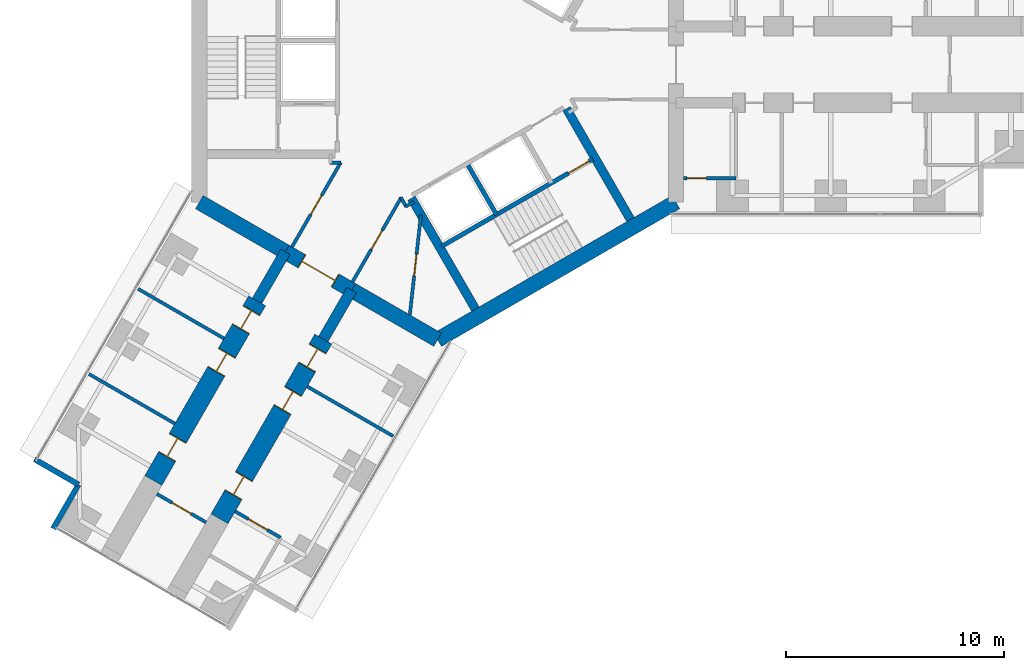
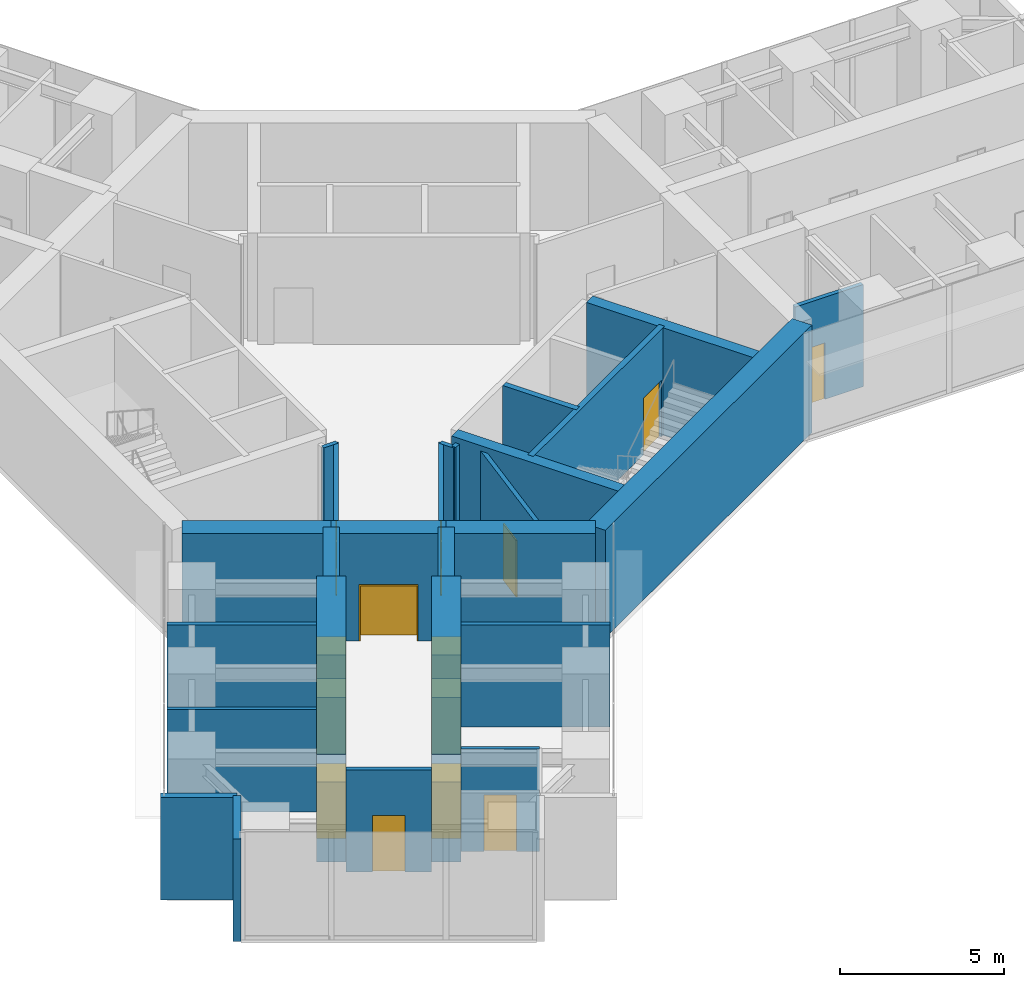
# One storey, part 16 of 24: 26 walls, 14 doors, 14 openings.
"""IFC4 building model written with IfcOpenShell, lengths in metres."""

from ifc_helpers import new_model, si_unit, direction, frame, frame_2d, origin, place, context, subcontext, project, spatial, rectangle, extrude, material, layer, layer_set, type_object, element, fill, save


model = new_model("IFC4")

# Units and contexts
model_context = context("Model", 3, precision=1e-05, world=origin(), true_north=direction((0.0, 1.0)))
body_context = subcontext(model_context, "Body", "Model", "MODEL_VIEW")
ifc_project = project(units=[si_unit("LENGTHUNIT", "METRE"), si_unit("AREAUNIT", "SQUARE_METRE"), si_unit("VOLUMEUNIT", "CUBIC_METRE"), si_unit("PLANEANGLEUNIT", "RADIAN"), si_unit("MASSUNIT", "GRAM", prefix="KILO")], contexts=[model_context])

# Site, building, storey
site_placement = place(None, origin())
site = spatial("IfcSite", under=ifc_project, at=site_placement, CompositionType="ELEMENT")
building_placement = place(site_placement, origin())
building = spatial("IfcBuilding", under=site, at=building_placement, Name="Upepo Twin Towers", CompositionType="ELEMENT")
storey_placement = place(building_placement, frame((0.0, 0.0, 52.5)))
storey = spatial("IfcBuildingStorey", under=building, at=storey_placement, Name="L12", CompositionType="ELEMENT", Elevation=52.5)

# Walls
ifc_material_1 = material(Name="Concrete C60/75", Category="concrete")
ifc_layer_1 = layer(ifc_material_1, 0.5)
ifc_layer_set_1 = layer_set([ifc_layer_1], Name="Concrete C60/75")
wall_type_1 = type_object("IfcWallType", Name="Buttress wall 500 RC", PredefinedType="SHEAR", material=ifc_layer_set_1)
for number, where, z_axis, x_axis, name in (
    (1, (-3.938720703125, -10.32177734375, 0.0), (0.0, 0.0, 1.0), (-0.499918158782, -0.866072649678, 0.0), "T1 wing C buttress wall L"),
    (2, (-6.9697265625, -8.57177734375, 0.0), (0.0, 0.0, 1.0), (-0.499988811324, -0.866031863473, 0.0), "T1 wing C buttress wall R"),
):
    element("IfcWall", number, at=place(storey_placement, frame(where, z_axis=z_axis, x_axis=x_axis)), inside=storey, type_object=wall_type_1, Name=name, PredefinedType="SHEAR", context=body_context, shape_type="SweptSolid", body=[
        extrude(rectangle(XDim=2.591796875, YDim=0.5, at=frame_2d((1.2958984375, 0.0))), origin(), (0.0, 0.0, 1.0), 4.0),
    ])

# Wall, openings, doors
ifc_material_2 = material(Name="Concrete C60/75", Category="concrete")
ifc_layer_2 = layer(ifc_material_2, 0.89990234375)
ifc_layer_set_2 = layer_set([ifc_layer_2], Name="Concrete C60/75")
wall_type_2 = type_object("IfcWallType", Name="Buttress wall 900 RC", PredefinedType="SHEAR", material=ifc_layer_set_2)
wall_1_placement = place(storey_placement, frame((-5.234375, -12.56640625, 0.0), z_axis=(0.0, 0.0, 1.0), x_axis=(-0.499997557548, -0.86602681393, 0.0)))
wall_1 = element("IfcWall", 3, at=wall_1_placement, inside=storey, type_object=wall_type_2, Name="T1 wing C buttress wall L part 2", PredefinedType="SHEAR", context=body_context, shape_type="SweptSolid", body=[
    extrude(rectangle(XDim=9.5, YDim=0.89990234375, at=frame_2d((4.75, 0.0))), origin(), (0.0, 0.0, 1.0), 4.0),
])
opening_1_placement = place(wall_1_placement, frame((0.5, 0.0, 0.0)))
opening_1 = element("IfcOpeningElement", 4, at=opening_1_placement, cuts=wall_1, Name="Opening D1", PredefinedType="OPENING", context=body_context, shape_type="SweptSolid", body=[
    extrude(rectangle(XDim=1.0, YDim=2.10009765625, at=frame_2d((0.5, 1.050048828125))), frame((0.0, 0.4599609375, 0.0), z_axis=(0.0, -1.0, 0.0), x_axis=(1.0, 0.0, 0.0)), (0.0, 0.0, 1.0), 0.919921875),
])
opening_2_placement = place(wall_1_placement, frame((2.75, 0.0, 0.0)))
opening_2 = element("IfcOpeningElement", 5, at=opening_2_placement, cuts=wall_1, Name="Opening D1", PredefinedType="OPENING", context=body_context, shape_type="SweptSolid", body=[
    extrude(rectangle(XDim=1.0, YDim=2.10009765625, at=frame_2d((0.5, 1.050048828125))), frame((0.0, 0.4599609375, 0.0), z_axis=(0.0, -1.0, 0.0), x_axis=(1.0, 0.0, 0.0)), (0.0, 0.0, 1.0), 0.919921875),
])
opening_3_placement = place(wall_1_placement, frame((7.25, 0.0, 0.0)))
opening_3 = element("IfcOpeningElement", 6, at=opening_3_placement, cuts=wall_1, Name="Opening D1", PredefinedType="OPENING", context=body_context, shape_type="SweptSolid", body=[
    extrude(rectangle(XDim=1.0, YDim=2.10009765625, at=frame_2d((0.5, 1.050048828125))), frame((0.0, 0.4599609375, 0.0), z_axis=(0.0, -1.0, 0.0), x_axis=(1.0, 0.0, 0.0)), (0.0, 0.0, 1.0), 0.919921875),
])
ifc_material_3 = material(Name="Timber doorset", Category="wood")
door_type_1 = type_object("IfcDoorType", Name="Room door 1000 FD30", OperationType="SINGLE_SWING_LEFT", PredefinedType="DOOR", material=ifc_material_3)
door_1_placement = place(opening_1_placement, origin())
door_1 = element("IfcDoor", 7, at=door_1_placement, inside=storey, type_object=door_type_1, Name="T1 L12 tutorial room door", OperationType="SINGLE_SWING_LEFT", OverallHeight=2.10009765625, OverallWidth=1.0, PredefinedType="DOOR", context=body_context, shape_type="SweptSolid", body=[
    extrude(rectangle(XDim=0.92, YDim=2.06009765625, at=frame_2d((0.5, 1.030029296875))), frame((0.0, 0.02490234375, 0.0), z_axis=(0.0, -1.0, 0.0), x_axis=(1.0, 0.0, 0.0)), (0.0, 0.0, 1.0), 0.050048828125),
    extrude(rectangle(XDim=0.04, YDim=2.10009765625, at=frame_2d((0.02001953125, 1.050048828125))), frame((0.0, 0.44970703125, 0.0), z_axis=(0.0, -1.0, 0.0), x_axis=(1.0, 0.0, 0.0)), (0.0, 0.0, 1.0), 0.8994140625),
    extrude(rectangle(XDim=0.04, YDim=2.10009765625, at=frame_2d((0.97998046875, 1.050048828125))), frame((0.0, 0.44970703125, 0.0), z_axis=(0.0, -1.0, 0.0), x_axis=(1.0, 0.0, 0.0)), (0.0, 0.0, 1.0), 0.8994140625),
    extrude(rectangle(XDim=0.92, YDim=0.04, at=frame_2d((0.5, 2.080078125))), frame((0.0, 0.44970703125, 0.0), z_axis=(0.0, -1.0, 0.0), x_axis=(1.0, 0.0, 0.0)), (0.0, 0.0, 1.0), 0.8994140625),
])
fill(opening_1, door_1)
door_2_placement = place(opening_2_placement, origin())
door_2 = element("IfcDoor", 8, at=door_2_placement, inside=storey, type_object=door_type_1, Name="T1 L12 teaching laboratory door", OperationType="SINGLE_SWING_LEFT", OverallHeight=2.10009765625, OverallWidth=1.0, PredefinedType="DOOR", context=body_context, shape_type="SweptSolid", body=[
    extrude(rectangle(XDim=0.92, YDim=2.06009765625, at=frame_2d((0.5, 1.030029296875))), frame((0.0, 0.02490234375, 0.0), z_axis=(0.0, -1.0, 0.0), x_axis=(1.0, 0.0, 0.0)), (0.0, 0.0, 1.0), 0.050048828125),
    extrude(rectangle(XDim=0.04, YDim=2.10009765625, at=frame_2d((0.02001953125, 1.050048828125))), frame((0.0, 0.44970703125, 0.0), z_axis=(0.0, -1.0, 0.0), x_axis=(1.0, 0.0, 0.0)), (0.0, 0.0, 1.0), 0.8994140625),
    extrude(rectangle(XDim=0.04, YDim=2.10009765625, at=frame_2d((0.97998046875, 1.050048828125))), frame((0.0, 0.44970703125, 0.0), z_axis=(0.0, -1.0, 0.0), x_axis=(1.0, 0.0, 0.0)), (0.0, 0.0, 1.0), 0.8994140625),
    extrude(rectangle(XDim=0.92, YDim=0.04, at=frame_2d((0.5, 2.080078125))), frame((0.0, 0.44970703125, 0.0), z_axis=(0.0, -1.0, 0.0), x_axis=(1.0, 0.0, 0.0)), (0.0, 0.0, 1.0), 0.8994140625),
])
fill(opening_2, door_2)
door_3_placement = place(opening_3_placement, origin())
door_3 = element("IfcDoor", 9, at=door_3_placement, inside=storey, type_object=door_type_1, Name="T1 L12 teaching laboratory door", OperationType="SINGLE_SWING_RIGHT", OverallHeight=2.10009765625, OverallWidth=1.0, PredefinedType="DOOR", context=body_context, shape_type="SweptSolid", body=[
    extrude(rectangle(XDim=0.92, YDim=2.06009765625, at=frame_2d((0.5, 1.030029296875))), frame((0.0, 0.02490234375, 0.0), z_axis=(0.0, -1.0, 0.0), x_axis=(1.0, 0.0, 0.0)), (0.0, 0.0, 1.0), 0.050048828125),
    extrude(rectangle(XDim=0.04, YDim=2.10009765625, at=frame_2d((0.02001953125, 1.050048828125))), frame((0.0, 0.44970703125, 0.0), z_axis=(0.0, -1.0, 0.0), x_axis=(1.0, 0.0, 0.0)), (0.0, 0.0, 1.0), 0.8994140625),
    extrude(rectangle(XDim=0.04, YDim=2.10009765625, at=frame_2d((0.97998046875, 1.050048828125))), frame((0.0, 0.44970703125, 0.0), z_axis=(0.0, -1.0, 0.0), x_axis=(1.0, 0.0, 0.0)), (0.0, 0.0, 1.0), 0.8994140625),
    extrude(rectangle(XDim=0.92, YDim=0.04, at=frame_2d((0.5, 2.080078125))), frame((0.0, 0.44970703125, 0.0), z_axis=(0.0, -1.0, 0.0), x_axis=(1.0, 0.0, 0.0)), (0.0, 0.0, 1.0), 0.8994140625),
])
fill(opening_3, door_3)

wall_2_placement = place(storey_placement, frame((-8.265625, -10.81640625, 0.0), z_axis=(0.0, 0.0, 1.0), x_axis=(-0.499997557548, -0.86602681393, 0.0)))
wall_2 = element("IfcWall", 10, at=wall_2_placement, inside=storey, type_object=wall_type_2, Name="T1 wing C buttress wall R part 2", PredefinedType="SHEAR", context=body_context, shape_type="SweptSolid", body=[
    extrude(rectangle(XDim=9.5, YDim=0.89990234375, at=frame_2d((4.75, 0.0))), origin(), (0.0, 0.0, 1.0), 4.0),
])
opening_4_placement = place(wall_2_placement, frame((0.5, 0.0, 0.0)))
opening_4 = element("IfcOpeningElement", 11, at=opening_4_placement, cuts=wall_2, Name="Opening D1", PredefinedType="OPENING", context=body_context, shape_type="SweptSolid", body=[
    extrude(rectangle(XDim=1.0, YDim=2.10009765625, at=frame_2d((0.5, 1.050048828125))), frame((0.0, 0.4599609375, 0.0), z_axis=(0.0, -1.0, 0.0), x_axis=(1.0, 0.0, 0.0)), (0.0, 0.0, 1.0), 0.919921875),
])
opening_5_placement = place(wall_2_placement, frame((2.75, 0.0, 0.0)))
opening_5 = element("IfcOpeningElement", 12, at=opening_5_placement, cuts=wall_2, Name="Opening D1", PredefinedType="OPENING", context=body_context, shape_type="SweptSolid", body=[
    extrude(rectangle(XDim=1.0, YDim=2.10009765625, at=frame_2d((0.5, 1.050048828125))), frame((0.0, 0.4599609375, 0.0), z_axis=(0.0, -1.0, 0.0), x_axis=(1.0, 0.0, 0.0)), (0.0, 0.0, 1.0), 0.919921875),
])
opening_6_placement = place(wall_2_placement, frame((7.25, 0.0, 0.0)))
opening_6 = element("IfcOpeningElement", 13, at=opening_6_placement, cuts=wall_2, Name="Opening D1", PredefinedType="OPENING", context=body_context, shape_type="SweptSolid", body=[
    extrude(rectangle(XDim=1.0, YDim=2.10009765625, at=frame_2d((0.5, 1.050048828125))), frame((0.0, 0.4599609375, 0.0), z_axis=(0.0, -1.0, 0.0), x_axis=(1.0, 0.0, 0.0)), (0.0, 0.0, 1.0), 0.919921875),
])
door_4_placement = place(opening_4_placement, origin())
door_4 = element("IfcDoor", 14, at=door_4_placement, inside=storey, type_object=door_type_1, Name="T1 L12 computing laboratory door", OperationType="SINGLE_SWING_LEFT", OverallHeight=2.10009765625, OverallWidth=1.0, PredefinedType="DOOR", context=body_context, shape_type="SweptSolid", body=[
    extrude(rectangle(XDim=0.92, YDim=2.06009765625, at=frame_2d((0.5, 1.030029296875))), frame((0.0, 0.02490234375, 0.0), z_axis=(0.0, -1.0, 0.0), x_axis=(1.0, 0.0, 0.0)), (0.0, 0.0, 1.0), 0.050048828125),
    extrude(rectangle(XDim=0.04, YDim=2.10009765625, at=frame_2d((0.02001953125, 1.050048828125))), frame((0.0, 0.44970703125, 0.0), z_axis=(0.0, -1.0, 0.0), x_axis=(1.0, 0.0, 0.0)), (0.0, 0.0, 1.0), 0.8994140625),
    extrude(rectangle(XDim=0.04, YDim=2.10009765625, at=frame_2d((0.97998046875, 1.050048828125))), frame((0.0, 0.44970703125, 0.0), z_axis=(0.0, -1.0, 0.0), x_axis=(1.0, 0.0, 0.0)), (0.0, 0.0, 1.0), 0.8994140625),
    extrude(rectangle(XDim=0.92, YDim=0.04, at=frame_2d((0.5, 2.080078125))), frame((0.0, 0.44970703125, 0.0), z_axis=(0.0, -1.0, 0.0), x_axis=(1.0, 0.0, 0.0)), (0.0, 0.0, 1.0), 0.8994140625),
])
fill(opening_4, door_4)
door_5_placement = place(opening_5_placement, origin())
door_5 = element("IfcDoor", 15, at=door_5_placement, inside=storey, type_object=door_type_1, Name="T1 L12 seminar room door", OperationType="SINGLE_SWING_LEFT", OverallHeight=2.10009765625, OverallWidth=1.0, PredefinedType="DOOR", context=body_context, shape_type="SweptSolid", body=[
    extrude(rectangle(XDim=0.92, YDim=2.06009765625, at=frame_2d((0.5, 1.030029296875))), frame((0.0, 0.02490234375, 0.0), z_axis=(0.0, -1.0, 0.0), x_axis=(1.0, 0.0, 0.0)), (0.0, 0.0, 1.0), 0.050048828125),
    extrude(rectangle(XDim=0.04, YDim=2.10009765625, at=frame_2d((0.02001953125, 1.050048828125))), frame((0.0, 0.44970703125, 0.0), z_axis=(0.0, -1.0, 0.0), x_axis=(1.0, 0.0, 0.0)), (0.0, 0.0, 1.0), 0.8994140625),
    extrude(rectangle(XDim=0.04, YDim=2.10009765625, at=frame_2d((0.97998046875, 1.050048828125))), frame((0.0, 0.44970703125, 0.0), z_axis=(0.0, -1.0, 0.0), x_axis=(1.0, 0.0, 0.0)), (0.0, 0.0, 1.0), 0.8994140625),
    extrude(rectangle(XDim=0.92, YDim=0.04, at=frame_2d((0.5, 2.080078125))), frame((0.0, 0.44970703125, 0.0), z_axis=(0.0, -1.0, 0.0), x_axis=(1.0, 0.0, 0.0)), (0.0, 0.0, 1.0), 0.8994140625),
])
fill(opening_5, door_5)
door_6_placement = place(opening_6_placement, origin())
door_6 = element("IfcDoor", 16, at=door_6_placement, inside=storey, type_object=door_type_1, Name="T1 L12 staff office door", OperationType="SINGLE_SWING_RIGHT", OverallHeight=2.10009765625, OverallWidth=1.0, PredefinedType="DOOR", context=body_context, shape_type="SweptSolid", body=[
    extrude(rectangle(XDim=0.92, YDim=2.06009765625, at=frame_2d((0.5, 1.030029296875))), frame((0.0, 0.02490234375, 0.0), z_axis=(0.0, -1.0, 0.0), x_axis=(1.0, 0.0, 0.0)), (0.0, 0.0, 1.0), 0.050048828125),
    extrude(rectangle(XDim=0.04, YDim=2.10009765625, at=frame_2d((0.02001953125, 1.050048828125))), frame((0.0, 0.44970703125, 0.0), z_axis=(0.0, -1.0, 0.0), x_axis=(1.0, 0.0, 0.0)), (0.0, 0.0, 1.0), 0.8994140625),
    extrude(rectangle(XDim=0.04, YDim=2.10009765625, at=frame_2d((0.97998046875, 1.050048828125))), frame((0.0, 0.44970703125, 0.0), z_axis=(0.0, -1.0, 0.0), x_axis=(1.0, 0.0, 0.0)), (0.0, 0.0, 1.0), 0.8994140625),
    extrude(rectangle(XDim=0.92, YDim=0.04, at=frame_2d((0.5, 2.080078125))), frame((0.0, 0.44970703125, 0.0), z_axis=(0.0, -1.0, 0.0), x_axis=(1.0, 0.0, 0.0)), (0.0, 0.0, 1.0), 0.8994140625),
])
fill(opening_6, door_6)

# Wall
ifc_material_4 = material(Name="Concrete C60/75", Category="concrete")
ifc_layer_3 = layer(ifc_material_4, 0.699951171875)
ifc_layer_set_3 = layer_set([ifc_layer_3], Name="Concrete C60/75")
wall_type_3 = type_object("IfcWallType", Name="Core wall 700 RC", PredefinedType="SHEAR", material=ifc_layer_set_3)
wall_3_placement = place(storey_placement, frame((-10.908447265625, -6.2978515625, 0.0), z_axis=(0.0, 0.0, 1.0), x_axis=(0.866034513004, -0.499984222037, 0.0)))
element("IfcWall", 17, at=wall_3_placement, inside=storey, type_object=wall_type_3, Name="T1 core wall 240 R", PredefinedType="SHEAR", context=body_context, shape_type="SweptSolid", body=[
    extrude(rectangle(XDim=4.548095703125, YDim=0.699951171875, at=frame_2d((2.27392578125, 0.0))), origin(), (0.0, 0.0, 1.0), 4.0),
])

# Wall, opening, door
wall_4_placement = place(storey_placement, frame((-6.9697265625, -8.57177734375, 0.0), z_axis=(0.0, 0.0, 1.0), x_axis=(0.866019471182, -0.500010275428, 0.0)))
wall_4 = element("IfcWall", 18, at=wall_4_placement, inside=storey, type_object=wall_type_3, Name="T1 core wall 240", PredefinedType="SHEAR", context=body_context, shape_type="SweptSolid", body=[
    extrude(rectangle(XDim=3.5, YDim=0.699951171875, at=frame_2d((1.75, 0.0))), origin(), (0.0, 0.0, 1.0), 4.0),
])
opening_7_placement = place(wall_4_placement, frame((0.85009765625, 0.0, 0.0)))
opening_7 = element("IfcOpeningElement", 19, at=opening_7_placement, cuts=wall_4, Name="Opening D2", PredefinedType="OPENING", context=body_context, shape_type="SweptSolid", body=[
    extrude(rectangle(XDim=1.800048828125, YDim=2.10009765625, at=frame_2d((0.89990234375, 1.050048828125))), frame((0.0, 0.35986328125, 0.0), z_axis=(0.0, -1.0, 0.0), x_axis=(1.0, 0.0, 0.0)), (0.0, 0.0, 1.0), 0.719970703125),
])
ifc_material_5 = material(Name="Timber doorset", Category="wood")
door_type_2 = type_object("IfcDoorType", Name="Corridor double door 1800 FD60", OperationType="DOUBLE_DOOR_DOUBLE_SWING", PredefinedType="DOOR", material=ifc_material_5)
door_7_placement = place(opening_7_placement, origin())
door_7 = element("IfcDoor", 20, at=door_7_placement, inside=storey, type_object=door_type_2, Name="T1 L12 wing C corridor door", OperationType="DOUBLE_DOOR_DOUBLE_SWING", OverallHeight=2.10009765625, OverallWidth=1.800048828125, PredefinedType="DOOR", context=body_context, shape_type="SweptSolid", body=[
    extrude(rectangle(XDim=1.720048828125, YDim=2.06009765625, at=frame_2d((0.89990234375, 1.030029296875))), frame((0.0, 0.02490234375, 0.0), z_axis=(0.0, -1.0, 0.0), x_axis=(1.0, 0.0, 0.0)), (0.0, 0.0, 1.0), 0.050048828125),
    extrude(rectangle(XDim=0.04, YDim=2.10009765625, at=frame_2d((0.02001953125, 1.050048828125))), frame((0.0, 0.349609375, 0.0), z_axis=(0.0, -1.0, 0.0), x_axis=(1.0, 0.0, 0.0)), (0.0, 0.0, 1.0), 0.699462890625),
    extrude(rectangle(XDim=0.04, YDim=2.10009765625, at=frame_2d((1.780029296875, 1.050048828125))), frame((0.0, 0.349609375, 0.0), z_axis=(0.0, -1.0, 0.0), x_axis=(1.0, 0.0, 0.0)), (0.0, 0.0, 1.0), 0.699462890625),
    extrude(rectangle(XDim=1.720048828125, YDim=0.04, at=frame_2d((0.89990234375, 2.080078125))), frame((0.0, 0.349609375, 0.0), z_axis=(0.0, -1.0, 0.0), x_axis=(1.0, 0.0, 0.0)), (0.0, 0.0, 1.0), 0.699462890625),
])
fill(opening_7, door_7)

# Walls
wall_5_placement = place(storey_placement, frame((-3.938720703125, -10.32177734375, 0.0), z_axis=(0.0, 0.0, 1.0), x_axis=(0.866011268655, -0.500024481964, 0.0)))
element("IfcWall", 21, at=wall_5_placement, inside=storey, type_object=wall_type_3, Name="T1 core wall 240 L", PredefinedType="SHEAR", context=body_context, shape_type="SweptSolid", body=[
    extrude(rectangle(XDim=4.548095703125, YDim=0.699951171875, at=frame_2d((2.27392578125, 0.0))), origin(), (0.0, 0.0, 1.0), 4.0),
])
wall_6_placement = place(storey_placement, frame((0.0, -12.595947265625, 0.0), z_axis=(0.0, 0.0, 1.0), x_axis=(0.866021940709, 0.500005998175, 0.0)))
element("IfcWall", 22, at=wall_6_placement, inside=storey, type_object=wall_type_3, Name="T1 core wall 300", PredefinedType="SHEAR", context=body_context, shape_type="SweptSolid", body=[
    extrude(rectangle(XDim=12.595947265625, YDim=0.699951171875, at=frame_2d((6.2978515625, 0.0))), origin(), (0.0, 0.0, 1.0), 4.0),
])
ifc_material_6 = material(Name="Blockwork with anodised aluminium cladding", Category="masonry")
ifc_layer_4 = layer(ifc_material_6, 0.25)
ifc_layer_set_4 = layer_set([ifc_layer_4], Name="Notch cladding wall 250, pale metal")
wall_type_4 = type_object("IfcWallType", Name="Notch cladding wall 250, pale metal", PredefinedType="STANDARD", material=ifc_layer_set_4)
for number, where, z_axis, x_axis, name in (
    (23, (-18.456298828125, -18.0673828125, 0.0), (0.0, 0.0, 1.0), (0.865998469481, -0.500046648681, 0.0), "T1 L12 wing C notch wall R1"),
    (24, (-16.44287109375, -19.22998046875, 0.0), (0.0, 0.0, 1.0), (-0.500046648681, -0.865998469481, 0.0), "T1 L12 wing C notch wall R2"),
):
    element("IfcWall", number, at=place(storey_placement, frame(where, z_axis=z_axis, x_axis=x_axis)), inside=storey, type_object=wall_type_4, Name=name, PredefinedType="STANDARD", context=body_context, shape_type="SweptSolid", body=[
        extrude(rectangle(XDim=2.324951171875, YDim=0.25, at=frame_2d((1.16259765625, 0.0))), origin(), (0.0, 0.0, 1.0), 3.800048828125),
    ])
ifc_material_7 = material(Name="Concrete C40/50", Category="concrete")
ifc_layer_5 = layer(ifc_material_7, 0.199951171875)
ifc_layer_set_5 = layer_set([ifc_layer_5], Name="Concrete C40/50")
wall_type_5 = type_object("IfcWallType", Name="Shaft wall 200 RC", PredefinedType="SHEAR", material=ifc_layer_set_5)
wall_7_placement = place(storey_placement, frame((1.3974609375, -4.620361328125, 0.0), z_axis=(0.0, 0.0, 1.0), x_axis=(0.499936506574, -0.866062058628, 0.0)))
element("IfcWall", 25, at=wall_7_placement, inside=storey, type_object=wall_type_5, Name="T1 core W300 shaft divider", PredefinedType="SHEAR", context=body_context, shape_type="SweptSolid", body=[
    extrude(rectangle(XDim=2.599853515625, YDim=0.199951171875, at=frame_2d((1.2998046875, 0.0))), origin(), (0.0, 0.0, 1.0), 4.0),
])

# Wall, opening, door
wall_8_placement = place(storey_placement, frame((0.185791015625, -8.322021484375, 0.0), z_axis=(0.0, 0.0, 1.0), x_axis=(0.866026010844, 0.49999894854, 0.0)))
wall_8 = element("IfcWall", 26, at=wall_8_placement, inside=storey, type_object=wall_type_5, Name="T1 core W300 stair wall", PredefinedType="SHEAR", context=body_context, shape_type="SweptSolid", body=[
    extrude(rectangle(XDim=8.0, YDim=0.199951171875, at=frame_2d((4.0, 0.0))), origin(), (0.0, 0.0, 1.0), 4.0),
])
opening_8_placement = place(wall_8_placement, frame((6.699951171875, 0.0, 0.0)))
opening_8 = element("IfcOpeningElement", 27, at=opening_8_placement, cuts=wall_8, Name="Opening D3", PredefinedType="OPENING", context=body_context, shape_type="SweptSolid", body=[
    extrude(rectangle(XDim=1.10009765625, YDim=2.10009765625, at=frame_2d((0.550048828125, 1.050048828125))), frame((0.0, 0.10986328125, 0.0), z_axis=(0.0, -1.0, 0.0), x_axis=(1.0, 0.0, 0.0)), (0.0, 0.0, 1.0), 0.219970703125),
])
ifc_material_8 = material(Name="Timber doorset", Category="wood")
door_type_3 = type_object("IfcDoorType", Name="Stair door 1100 FD60", OperationType="SINGLE_SWING_LEFT", PredefinedType="DOOR", material=ifc_material_8)
door_8_placement = place(opening_8_placement, origin())
door_8 = element("IfcDoor", 28, at=door_8_placement, inside=storey, type_object=door_type_3, Name="T1 L12 stair door", OperationType="SINGLE_SWING_RIGHT", OverallHeight=2.10009765625, OverallWidth=1.10009765625, PredefinedType="DOOR", context=body_context, shape_type="SweptSolid", body=[
    extrude(rectangle(XDim=1.10009765625, YDim=2.10009765625, at=frame_2d((0.550048828125, 1.050048828125))), frame((0.0, 0.02490234375, 0.0), z_axis=(0.0, -1.0, 0.0), x_axis=(1.0, 0.0, 0.0)), (0.0, 0.0, 1.0), 0.050048828125),
])
fill(opening_8, door_8)

# Walls
ifc_material_9 = material(Name="Concrete C40/50", Category="concrete")
ifc_layer_6 = layer(ifc_material_9, 0.39990234375)
ifc_layer_set_6 = layer_set([ifc_layer_6], Name="Concrete C40/50")
wall_type_6 = type_object("IfcWallType", Name="Shaft wall 400 RC", PredefinedType="SHEAR", material=ifc_layer_set_6)
for number, where, z_axis, x_axis, name in (
    (29, (5.900634765625, -2.020263671875, 0.0), (0.0, 0.0, 1.0), (0.500002627198, -0.866023886965, 0.0), "T1 core W300 side wall N"),
    (30, (-1.20068359375, -6.120361328125, 0.0), (0.0, 0.0, 1.0), (0.500002627198, -0.866023886965, 0.0), "T1 core W300 side wall S"),
):
    element("IfcWall", number, at=place(storey_placement, frame(where, z_axis=z_axis, x_axis=x_axis)), inside=storey, type_object=wall_type_6, Name=name, PredefinedType="SHEAR", context=body_context, shape_type="SweptSolid", body=[
        extrude(rectangle(XDim=5.8583984375, YDim=0.39990234375, at=frame_2d((2.92919921875, 0.0))), origin(), (0.0, 0.0, 1.0), 4.0),
    ])

# Wall, opening, door
ifc_material_10 = material(Name="Gypsum board on steel studs", Category="steel")
ifc_layer_7 = layer(ifc_material_10, 0.14990234375)
ifc_layer_set_7 = layer_set([ifc_layer_7], Name="Teaching partition 150 acoustic")
wall_type_7 = type_object("IfcWallType", Name="Teaching partition 150 acoustic", PredefinedType="PARTITIONING", material=ifc_layer_set_7)
wall_9_placement = place(storey_placement, frame((11.258056640625, -5.199951171875, 0.0), z_axis=(0.0, 0.0, 1.0), x_axis=(1.0, 0.0, 0.0)))
wall_9 = element("IfcWall", 31, at=wall_9_placement, inside=storey, type_object=wall_type_7, Name="T1 WC bay partition AR at 11.26", PredefinedType="PARTITIONING", context=body_context, shape_type="SweptSolid", body=[
    extrude(rectangle(XDim=2.39990234375, YDim=0.14990234375, at=frame_2d((1.199951171875, 0.0))), origin(), (0.0, 0.0, 1.0), 3.800048828125),
])
opening_9_placement = place(wall_9_placement, frame((0.14990234375, 0.0, 0.0)))
opening_9 = element("IfcOpeningElement", 32, at=opening_9_placement, cuts=wall_9, Name="Opening D14", PredefinedType="OPENING", context=body_context, shape_type="SweptSolid", body=[
    extrude(rectangle(XDim=0.89990234375, YDim=2.10009765625, at=frame_2d((0.449951171875, 1.050048828125))), frame((0.0, 0.0849609375, 0.0), z_axis=(0.0, -1.0, 0.0), x_axis=(1.0, 0.0, 0.0)), (0.0, 0.0, 1.0), 0.169921875),
])
ifc_material_11 = material(Name="Timber doorset", Category="wood")
door_type_4 = type_object("IfcDoorType", Name="Office door 900 FD30", OperationType="SINGLE_SWING_LEFT", PredefinedType="DOOR", material=ifc_material_11)
door_9_placement = place(opening_9_placement, origin())
door_9 = element("IfcDoor", 33, at=door_9_placement, inside=storey, type_object=door_type_4, Name="T1 L12 WC bay inner room door", OperationType="SINGLE_SWING_LEFT", OverallHeight=2.10009765625, OverallWidth=0.89990234375, PredefinedType="DOOR", context=body_context, shape_type="SweptSolid", body=[
    extrude(rectangle(XDim=0.89990234375, YDim=2.10009765625, at=frame_2d((0.449951171875, 1.050048828125))), frame((0.0, 0.02490234375, 0.0), z_axis=(0.0, -1.0, 0.0), x_axis=(1.0, 0.0, 0.0)), (0.0, 0.0, 1.0), 0.050048828125),
])
fill(opening_9, door_9)

# Wall
wall_10_placement = place(storey_placement, frame((-5.9697265625, -14.739990234375, 0.0), z_axis=(0.0, 0.0, 1.0), x_axis=(0.866035472144, -0.499982560684, 0.0)))
element("IfcWall", 34, at=wall_10_placement, inside=storey, type_object=wall_type_7, Name="T1 partition CL at 15.75", PredefinedType="PARTITIONING", context=body_context, shape_type="SweptSolid", body=[
    extrude(rectangle(XDim=4.550048828125, YDim=0.14990234375, at=frame_2d((2.27490234375, 0.0))), origin(), (0.0, 0.0, 1.0), 3.800048828125),
])

# Wall, opening, door
wall_11_placement = place(storey_placement, frame((-9.269775390625, -20.45556640625, 0.0), z_axis=(0.0, 0.0, 1.0), x_axis=(0.866006032174, -0.500033551112, 0.0)))
wall_11 = element("IfcWall", 35, at=wall_11_placement, inside=storey, type_object=wall_type_7, Name="T1 inner room partition CL end at 22.35", PredefinedType="PARTITIONING", context=body_context, shape_type="SweptSolid", body=[
    extrude(rectangle(XDim=2.400146484375, YDim=0.14990234375, at=frame_2d((1.2001953125, 0.0))), origin(), (0.0, 0.0, 1.0), 3.800048828125),
])
opening_10_placement = place(wall_11_placement, frame((0.699951171875, 0.0, 0.0)))
opening_10 = element("IfcOpeningElement", 36, at=opening_10_placement, cuts=wall_11, Name="Opening D1", PredefinedType="OPENING", context=body_context, shape_type="SweptSolid", body=[
    extrude(rectangle(XDim=1.0, YDim=2.10009765625, at=frame_2d((0.5, 1.050048828125))), frame((0.0, 0.0849609375, 0.0), z_axis=(0.0, -1.0, 0.0), x_axis=(1.0, 0.0, 0.0)), (0.0, 0.0, 1.0), 0.169921875),
])
door_10_placement = place(opening_10_placement, origin())
door_10 = element("IfcDoor", 37, at=door_10_placement, inside=storey, type_object=door_type_1, Name="T1 L12 inner room door", OperationType="SINGLE_SWING_LEFT", OverallHeight=2.10009765625, OverallWidth=1.0, PredefinedType="DOOR", context=body_context, shape_type="SweptSolid", body=[
    extrude(rectangle(XDim=1.0, YDim=2.10009765625, at=frame_2d((0.5, 1.050048828125))), frame((0.0, 0.02490234375, 0.0), z_axis=(0.0, -1.0, 0.0), x_axis=(1.0, 0.0, 0.0)), (0.0, 0.0, 1.0), 0.050048828125),
])
fill(opening_10, door_10)

# Walls
for number, where, z_axis, x_axis, name in (
    (38, (-9.7802734375, -12.539794921875, 0.0), (0.0, 0.0, 1.0), (-0.866035472144, 0.499982560684, 0.0), "T1 partition CR at 15.75"),
    (39, (-12.0302734375, -16.43701171875, 0.0), (0.0, 0.0, 1.0), (-0.866035472144, 0.499982560684, 0.0), "T1 partition CR at 20.25"),
):
    element("IfcWall", number, at=place(storey_placement, frame(where, z_axis=z_axis, x_axis=x_axis)), inside=storey, type_object=wall_type_7, Name=name, PredefinedType="PARTITIONING", context=body_context, shape_type="SweptSolid", body=[
        extrude(rectangle(XDim=4.550048828125, YDim=0.14990234375, at=frame_2d((2.27490234375, 0.0))), origin(), (0.0, 0.0, 1.0), 3.800048828125),
    ])
wall_12_placement = place(storey_placement, frame((-1.092041015625, -6.28857421875, 0.0), z_axis=(0.0, 0.0, 1.0), x_axis=(-0.866138304741, -0.499804398801, 0.0)))
element("IfcWall", 40, at=wall_12_placement, inside=storey, type_object=wall_type_7, Name="T1 core room partition 2", PredefinedType="PARTITIONING", context=body_context, shape_type="SweptSolid", body=[
    extrude(rectangle(XDim=0.429931640625, YDim=0.14990234375, at=frame_2d((0.21484375, 0.0))), origin(), (0.0, 0.0, 1.0), 3.800048828125),
])
wall_13_placement = place(storey_placement, frame((-1.43701171875, -6.5107421875, 0.0), z_axis=(0.0, 0.0, 1.0), x_axis=(-0.50033519877, 0.865831790172, 0.0)))
element("IfcWall", 41, at=wall_13_placement, inside=storey, type_object=wall_type_7, Name="T1 core room partition 3", PredefinedType="PARTITIONING", context=body_context, shape_type="SweptSolid", body=[
    extrude(rectangle(XDim=0.494384765625, YDim=0.14990234375, at=frame_2d((0.2470703125, 0.0))), origin(), (0.0, 0.0, 1.0), 3.800048828125),
])

# Wall, opening, door
wall_14_placement = place(storey_placement, frame((-1.664306640625, -6.082763671875, 0.0), z_axis=(0.0, 0.0, 1.0), x_axis=(-0.499999927604, -0.866025445582, 0.0)))
wall_14 = element("IfcWall", 42, at=wall_14_placement, inside=storey, type_object=wall_type_7, Name="T1 core room partition 4", PredefinedType="PARTITIONING", context=body_context, shape_type="SweptSolid", body=[
    extrude(rectangle(XDim=4.46826171875, YDim=0.14990234375, at=frame_2d((2.234130859375, 0.0))), origin(), (0.0, 0.0, 1.0), 3.800048828125),
])
opening_11_placement = place(wall_14_placement, frame((1.744384765625, 0.0, 0.0)))
opening_11 = element("IfcOpeningElement", 43, at=opening_11_placement, cuts=wall_14, Name="Opening D1", PredefinedType="OPENING", context=body_context, shape_type="SweptSolid", body=[
    extrude(rectangle(XDim=1.0, YDim=2.10009765625, at=frame_2d((0.5, 1.050048828125))), frame((0.0, 0.0849609375, 0.0), z_axis=(0.0, -1.0, 0.0), x_axis=(1.0, 0.0, 0.0)), (0.0, 0.0, 1.0), 0.169921875),
])
door_11_placement = place(opening_11_placement, origin())
door_11 = element("IfcDoor", 44, at=door_11_placement, inside=storey, type_object=door_type_1, Name="T1 L12 core room door K2", OperationType="SINGLE_SWING_RIGHT", OverallHeight=2.10009765625, OverallWidth=1.0, PredefinedType="DOOR", context=body_context, shape_type="SweptSolid", body=[
    extrude(rectangle(XDim=1.0, YDim=2.10009765625, at=frame_2d((0.5, 1.050048828125))), frame((0.0, 0.02490234375, 0.0), z_axis=(0.0, -1.0, 0.0), x_axis=(1.0, 0.0, 0.0)), (0.0, 0.0, 1.0), 0.050048828125),
])
fill(opening_11, door_11)

wall_15_placement = place(storey_placement, frame((-6.669921875, -8.3525390625, 0.0), z_axis=(0.0, 0.0, 1.0), x_axis=(0.500017246033, 0.866015446554, 0.0)))
wall_15 = element("IfcWall", 45, at=wall_15_placement, inside=storey, type_object=wall_type_7, Name="T1 core room partition 5", PredefinedType="PARTITIONING", context=body_context, shape_type="SweptSolid", body=[
    extrude(rectangle(XDim=4.468505859375, YDim=0.14990234375, at=frame_2d((2.234375, 0.0))), origin(), (0.0, 0.0, 1.0), 3.800048828125),
])
opening_12_placement = place(wall_15_placement, frame((1.72412109375, 0.0, 0.0)))
opening_12 = element("IfcOpeningElement", 46, at=opening_12_placement, cuts=wall_15, Name="Opening D1", PredefinedType="OPENING", context=body_context, shape_type="SweptSolid", body=[
    extrude(rectangle(XDim=1.0, YDim=2.10009765625, at=frame_2d((0.5, 1.050048828125))), frame((0.0, 0.0849609375, 0.0), z_axis=(0.0, -1.0, 0.0), x_axis=(1.0, 0.0, 0.0)), (0.0, 0.0, 1.0), 0.169921875),
])
door_12_placement = place(opening_12_placement, origin())
door_12 = element("IfcDoor", 47, at=door_12_placement, inside=storey, type_object=door_type_1, Name="T1 L12 core room door K1", OperationType="SINGLE_SWING_LEFT", OverallHeight=2.10009765625, OverallWidth=1.0, PredefinedType="DOOR", context=body_context, shape_type="SweptSolid", body=[
    extrude(rectangle(XDim=1.0, YDim=2.10009765625, at=frame_2d((0.5, 1.050048828125))), frame((0.0, 0.02490234375, 0.0), z_axis=(0.0, -1.0, 0.0), x_axis=(1.0, 0.0, 0.0)), (0.0, 0.0, 1.0), 0.050048828125),
])
fill(opening_12, door_12)

# Wall
wall_16_placement = place(storey_placement, frame((-4.425537109375, -4.5, 0.0), z_axis=(0.0, 0.0, 1.0), x_axis=(-1.0, 0.0, 0.0)))
element("IfcWall", 48, at=wall_16_placement, inside=storey, type_object=wall_type_7, Name="T1 core room partition 6", PredefinedType="PARTITIONING", context=body_context, shape_type="SweptSolid", body=[
    extrude(rectangle(XDim=0.494384765625, YDim=0.14990234375, at=frame_2d((0.2470703125, 0.0))), origin(), (0.0, 0.0, 1.0), 3.800048828125),
])

# Wall, opening, door
wall_17_placement = place(storey_placement, frame((-0.763916015625, -6.876953125, 0.0), z_axis=(0.0, 0.0, 1.0), x_axis=(-0.110408266965, -0.993886318744, 0.0)))
wall_17 = element("IfcWall", 49, at=wall_17_placement, inside=storey, type_object=wall_type_7, Name="T1 core room partition 19", PredefinedType="PARTITIONING", context=body_context, shape_type="SweptSolid", body=[
    extrude(rectangle(XDim=4.608154296875, YDim=0.14990234375, at=frame_2d((2.30419921875, 0.0))), origin(), (0.0, 0.0, 1.0), 3.800048828125),
])
opening_13_placement = place(wall_17_placement, frame((1.80419921875, 0.0, 0.0)))
opening_13 = element("IfcOpeningElement", 50, at=opening_13_placement, cuts=wall_17, Name="Opening D1", PredefinedType="OPENING", context=body_context, shape_type="SweptSolid", body=[
    extrude(rectangle(XDim=1.0, YDim=2.10009765625, at=frame_2d((0.5, 1.050048828125))), frame((0.0, 0.0849609375, 0.0), z_axis=(0.0, -1.0, 0.0), x_axis=(1.0, 0.0, 0.0)), (0.0, 0.0, 1.0), 0.169921875),
])
door_13_placement = place(opening_13_placement, origin())
door_13 = element("IfcDoor", 51, at=door_13_placement, inside=storey, type_object=door_type_1, Name="T1 L12 core room door K3", OperationType="SINGLE_SWING_LEFT", OverallHeight=2.10009765625, OverallWidth=1.0, PredefinedType="DOOR", context=body_context, shape_type="SweptSolid", body=[
    extrude(rectangle(XDim=1.0, YDim=2.10009765625, at=frame_2d((0.5, 1.050048828125))), frame((0.0, 0.02490234375, 0.0), z_axis=(0.0, -1.0, 0.0), x_axis=(1.0, 0.0, 0.0)), (0.0, 0.0, 1.0), 0.050048828125),
])
fill(opening_13, door_13)

wall_18_placement = place(storey_placement, frame((-12.850830078125, -19.658203125, 0.0), z_axis=(0.0, 0.0, 1.0), x_axis=(0.866021400173, -0.500006934395, 0.0)))
wall_18 = element("IfcWall", 52, at=wall_18_placement, inside=storey, type_object=wall_type_7, Name="T1 corridor end partition C at 23.45", PredefinedType="PARTITIONING", context=body_context, shape_type="SweptSolid", body=[
    extrude(rectangle(XDim=2.60009765625, YDim=0.14990234375, at=frame_2d((1.300048828125, 0.0))), origin(), (0.0, 0.0, 1.0), 3.800048828125),
])
opening_14_placement = place(wall_18_placement, frame((0.800048828125, 0.0, 0.0)))
opening_14 = element("IfcOpeningElement", 53, at=opening_14_placement, cuts=wall_18, Name="Opening D1", PredefinedType="OPENING", context=body_context, shape_type="SweptSolid", body=[
    extrude(rectangle(XDim=1.0, YDim=2.10009765625, at=frame_2d((0.5, 1.050048828125))), frame((0.0, 0.0849609375, 0.0), z_axis=(0.0, -1.0, 0.0), x_axis=(1.0, 0.0, 0.0)), (0.0, 0.0, 1.0), 0.169921875),
])
door_14_placement = place(opening_14_placement, origin())
door_14 = element("IfcDoor", 54, at=door_14_placement, inside=storey, type_object=door_type_1, Name="T1 L12 breakout study room door", OperationType="SINGLE_SWING_LEFT", OverallHeight=2.10009765625, OverallWidth=1.0, PredefinedType="DOOR", context=body_context, shape_type="SweptSolid", body=[
    extrude(rectangle(XDim=1.0, YDim=2.10009765625, at=frame_2d((0.5, 1.050048828125))), frame((0.0, 0.02490234375, 0.0), z_axis=(0.0, -1.0, 0.0), x_axis=(1.0, 0.0, 0.0)), (0.0, 0.0, 1.0), 0.050048828125),
])
fill(opening_14, door_14)

save(model, "model.ifc")
